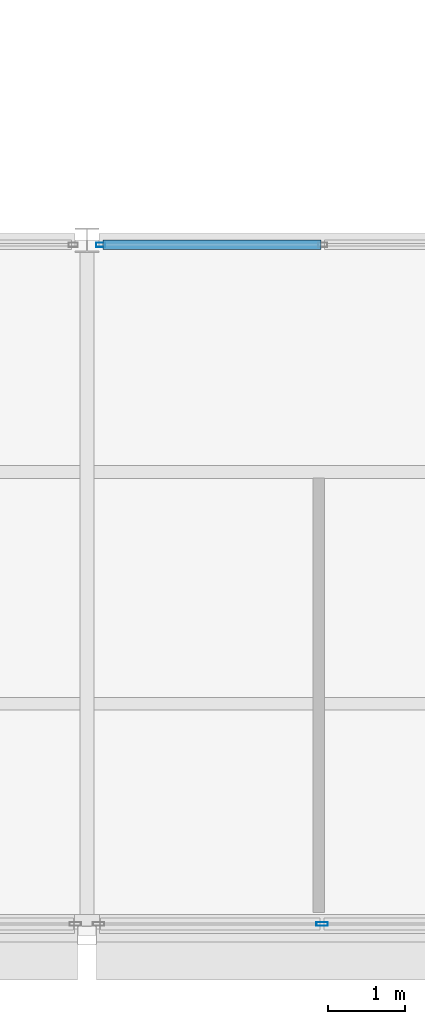
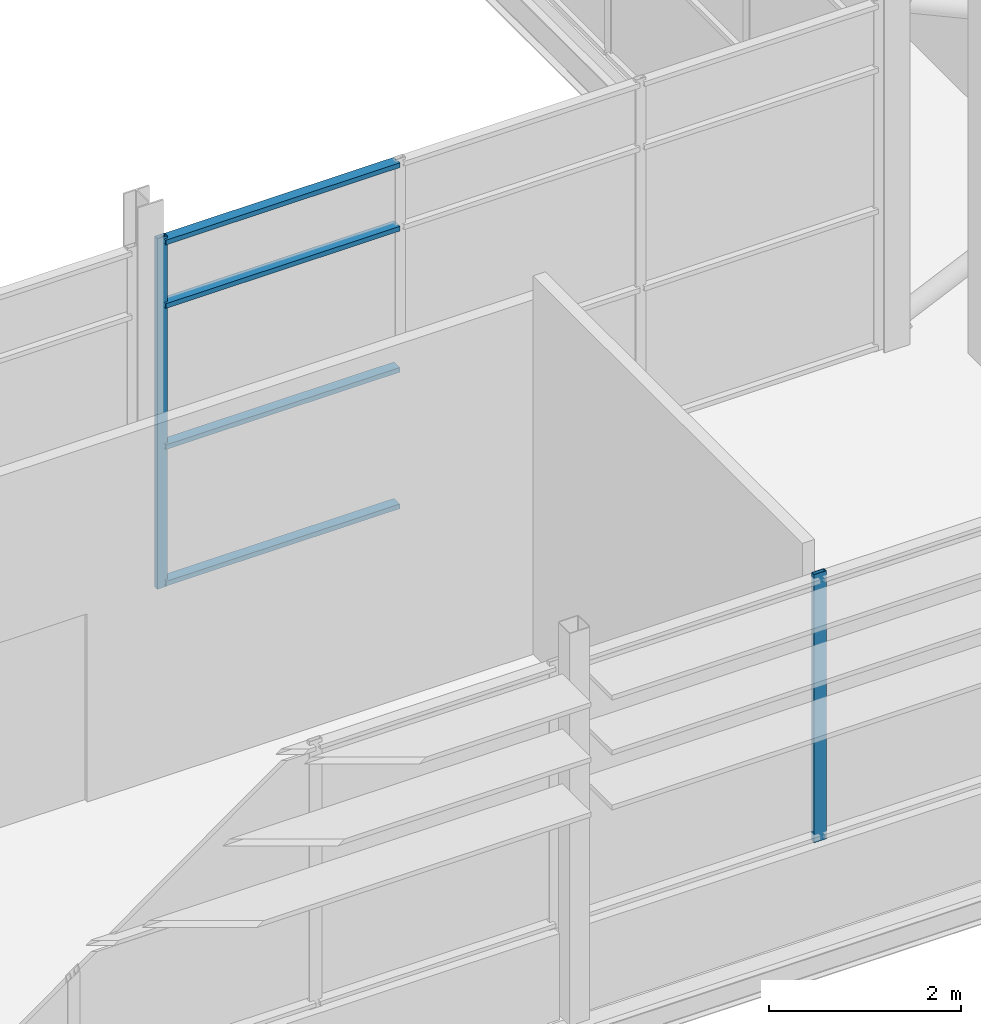
# One storey, part 38 of 94: 6 members, 2 elements without a shape of their own.
"""IFC4 building model written with IfcOpenShell, lengths in metres."""

from ifc_helpers import new_model, si_unit, direction, frame, origin, origin_2d, place, context, subcontext, project, spatial, hollow_rectangle, extrude, material, layer, layer_set, material_profile, profile_set, type_object, element, aggregate, save


model = new_model("IFC4")

# Units and contexts
model_context = context("Model", 3, precision=1e-05, world=origin(), true_north=direction((0.0, 1.0)))
body_context = subcontext(model_context, "Body", "Model", "MODEL_VIEW")
ifc_project = project(units=[si_unit("LENGTHUNIT", "METRE"), si_unit("AREAUNIT", "SQUARE_METRE"), si_unit("VOLUMEUNIT", "CUBIC_METRE"), si_unit("PLANEANGLEUNIT", "RADIAN"), si_unit("MASSUNIT", "GRAM", prefix="KILO")], contexts=[model_context])

# Site, building, storey
site_placement = place(None, origin())
site = spatial("IfcSite", under=ifc_project, at=site_placement, CompositionType="ELEMENT")
building_placement = place(site_placement, origin())
building = spatial("IfcBuilding", under=site, at=building_placement, Name="Shorebreak Coast Museum", CompositionType="ELEMENT")
storey_placement = place(building_placement, frame((0.0, 0.0, 31.0)))
storey = spatial("IfcBuildingStorey", under=building, at=storey_placement, Name="L05", CompositionType="ELEMENT", Elevation=31.0)

# Curtain wall, members
ifc_material_1 = material(Name="Aluminium", Category="aluminium")
ifc_layer_1 = layer(ifc_material_1, 0.1201171875)
ifc_layer_set_1 = layer_set([ifc_layer_1], Name="Aluminium")
curtain_wall_type_1 = type_object("IfcCurtainWallType", Name="Atrium fire screen", PredefinedType="NOTDEFINED", material=ifc_layer_set_1)
curtain_wall_1_placement = place(storey_placement, origin())
curtain_wall_1 = element("IfcCurtainWall", 1, at=curtain_wall_1_placement, inside=storey, type_object=curtain_wall_type_1, Name="Atrium screen L05 S 67", PredefinedType="NOTDEFINED")
ifc_material_2 = material(Name="Aluminium", Category="aluminium")
ifc_material_profile_1 = material_profile(ifc_material_2, hollow_rectangle(XDim=0.06005859375, YDim=0.1201171875, WallThickness=0.00341796875, at=origin_2d()), Name="AL 120x60 RHS")
ifc_profile_set_1 = profile_set([ifc_material_profile_1], Name="Aluminium")
member_type_1 = type_object("IfcMemberType", Name="Screen mullion 50 x 120", PredefinedType="MULLION", material=ifc_profile_set_1)
member_1_placement = place(storey_placement, frame((99.178466796875, 62.93994140625, 0.0), z_axis=(0.0, 0.0, 1.0), x_axis=(0.0, 1.0, 0.0)))
member_1 = element("IfcMember", 2, at=member_1_placement, type_object=member_type_1, Name="CW5 mullion 1", PredefinedType="MULLION", context=body_context, shape_type="SweptSolid", body=[
    extrude(hollow_rectangle(XDim=0.06005859375, YDim=0.1201171875, WallThickness=0.00341796875, at=origin_2d()), origin(), (0.0, 0.0, 1.0), 4.469482421875),
])
ifc_material_3 = material(Name="Aluminium", Category="aluminium")
ifc_material_profile_2 = material_profile(ifc_material_3, hollow_rectangle(XDim=0.1201171875, YDim=0.06005859375, WallThickness=0.00341796875, at=origin_2d()), Name="AL 60x120 RHS")
ifc_profile_set_2 = profile_set([ifc_material_profile_2], Name="Aluminium")
member_type_2 = type_object("IfcMemberType", Name="Screen transom 120 x 50", PredefinedType="USERDEFINED", material=ifc_profile_set_2)
member_2_placement = place(storey_placement, frame((99.20361328125, 62.93994140625, 0.06005859375), z_axis=(1.0, 0.0, 0.0), x_axis=(0.0, 1.0, 0.0)))
member_2 = element("IfcMember", 3, at=member_2_placement, type_object=member_type_2, Name="CW5 transom 1.1", ObjectType="TRANSOM", PredefinedType="USERDEFINED", context=body_context, shape_type="SweptSolid", body=[
    extrude(hollow_rectangle(XDim=0.1201171875, YDim=0.06005859375, WallThickness=0.00341796875, at=origin_2d()), origin(), (0.0, 0.0, 1.0), 2.822509765625),
])
member_3_placement = place(storey_placement, frame((99.20361328125, 62.93994140625, 1.800048828125), z_axis=(1.0, 0.0, 0.0), x_axis=(0.0, 1.0, 0.0)))
member_3 = element("IfcMember", 4, at=member_3_placement, type_object=member_type_2, Name="CW5 transom 1.2", ObjectType="TRANSOM", PredefinedType="USERDEFINED", context=body_context, shape_type="SweptSolid", body=[
    extrude(hollow_rectangle(XDim=0.1201171875, YDim=0.06005859375, WallThickness=0.00341796875, at=origin_2d()), origin(), (0.0, 0.0, 1.0), 2.822509765625),
])
member_4_placement = place(storey_placement, frame((99.20361328125, 62.93994140625, 3.60009765625), z_axis=(1.0, 0.0, 0.0), x_axis=(0.0, 1.0, 0.0)))
member_4 = element("IfcMember", 5, at=member_4_placement, type_object=member_type_2, Name="CW5 transom 1.3", ObjectType="TRANSOM", PredefinedType="USERDEFINED", context=body_context, shape_type="SweptSolid", body=[
    extrude(hollow_rectangle(XDim=0.1201171875, YDim=0.06005859375, WallThickness=0.00341796875, at=origin_2d()), origin(), (0.0, 0.0, 1.0), 2.822509765625),
])
member_5_placement = place(storey_placement, frame((99.20361328125, 62.93994140625, 4.409423828125), z_axis=(1.0, 0.0, 0.0), x_axis=(0.0, 1.0, 0.0)))
member_5 = element("IfcMember", 6, at=member_5_placement, type_object=member_type_2, Name="CW5 transom 1.4", ObjectType="TRANSOM", PredefinedType="USERDEFINED", context=body_context, shape_type="SweptSolid", body=[
    extrude(hollow_rectangle(XDim=0.1201171875, YDim=0.06005859375, WallThickness=0.00341796875, at=origin_2d()), origin(), (0.0, 0.0, 1.0), 2.822509765625),
])
aggregate(curtain_wall_1, [member_1, member_2, member_3, member_4, member_5])

# Curtain wall, member
ifc_material_4 = material(Name="Aluminium", Category="aluminium")
ifc_layer_2 = layer(ifc_material_4, 0.14990234375)
ifc_layer_set_2 = layer_set([ifc_layer_2], Name="Aluminium")
curtain_wall_type_2 = type_object("IfcCurtainWallType", Name="Storefront curtain wall", PredefinedType="NOTDEFINED", material=ifc_layer_set_2)
curtain_wall_2_placement = place(storey_placement, origin())
curtain_wall_2 = element("IfcCurtainWall", 7, at=curtain_wall_2_placement, inside=storey, type_object=curtain_wall_type_2, Name="Atrium Hall glazing L05 S 17", PredefinedType="NOTDEFINED")
ifc_material_5 = material(Name="Aluminium", Category="aluminium")
ifc_material_profile_3 = material_profile(ifc_material_5, hollow_rectangle(XDim=0.050048828125, YDim=0.14990234375, WallThickness=0.00390625, at=origin_2d()), Name="AL 150x50 RHS")
ifc_profile_set_3 = profile_set([ifc_material_profile_3], Name="Aluminium")
member_type_3 = type_object("IfcMemberType", Name="Storefront mullion 50 x 150", PredefinedType="MULLION", material=ifc_profile_set_3)
member_6_placement = place(storey_placement, frame((102.041748046875, 54.14990234375, 1.10009765625), z_axis=(0.0, 0.0, 1.0), x_axis=(0.0, 1.0, 0.0)))
member_6 = element("IfcMember", 8, at=member_6_placement, type_object=member_type_3, Name="CW5 mullion 2", PredefinedType="MULLION", context=body_context, shape_type="SweptSolid", body=[
    extrude(hollow_rectangle(XDim=0.050048828125, YDim=0.14990234375, WallThickness=0.00390625, at=origin_2d()), origin(), (0.0, 0.0, 1.0), 3.417724609375),
])
aggregate(curtain_wall_2, [member_6])

save(model, "model.ifc")
